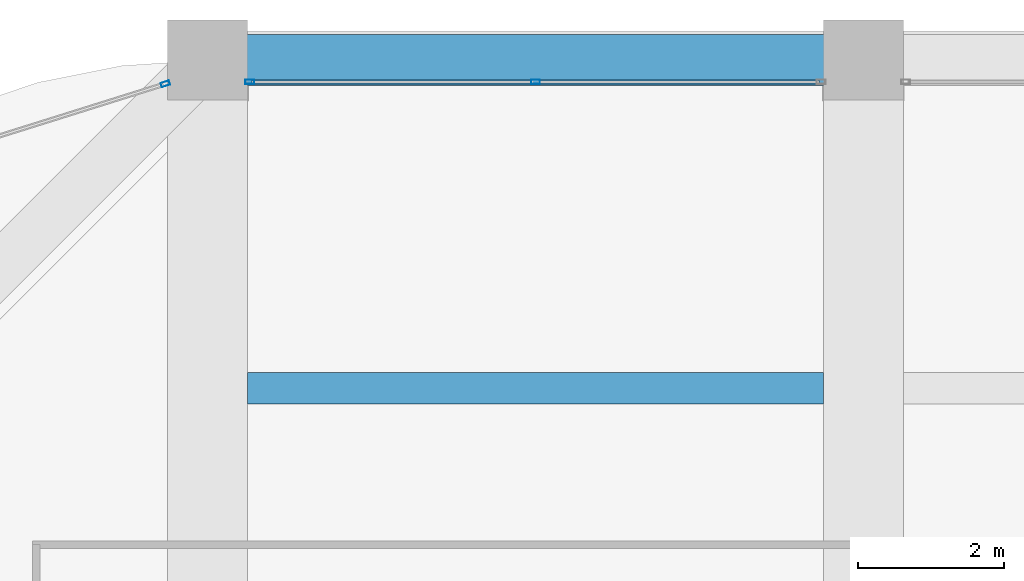
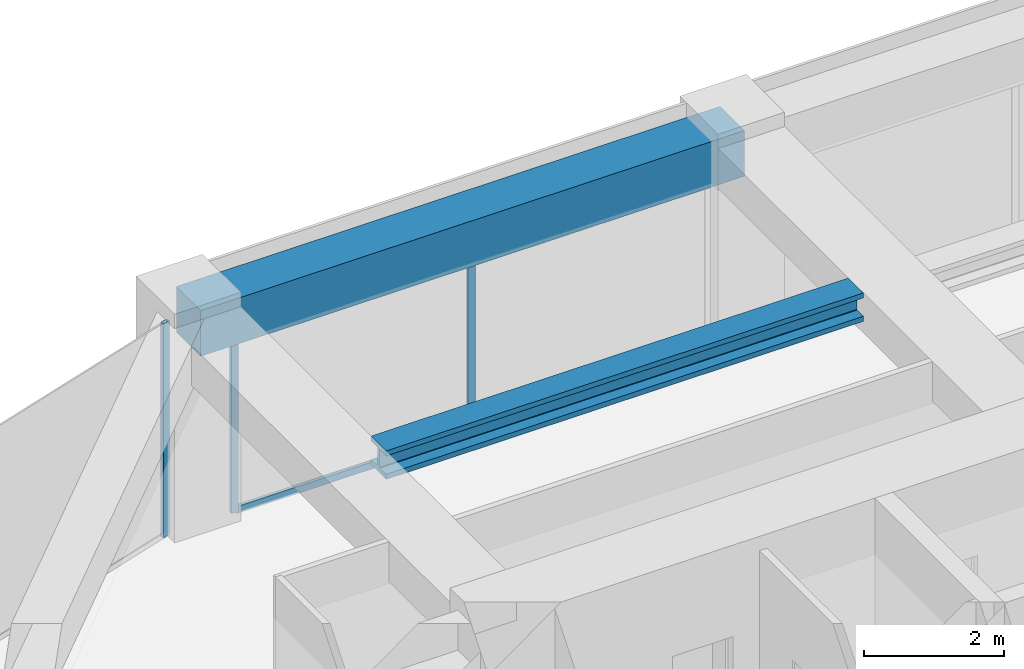
# One storey, part 31 of 44: 4 members, 2 beams, 2 elements without a shape of their own.
"""IFC4 building model written with IfcOpenShell, lengths in metres."""

from ifc_helpers import new_model, si_unit, direction, frame, origin, origin_2d, place, context, subcontext, project, spatial, rectangle, hollow_rectangle, i_section, extrude, material, material_profile, profile_set, type_object, element, aggregate, save


model = new_model("IFC4")

# Units and contexts
model_context = context("Model", 3, precision=1e-05, world=origin(), true_north=direction((0.0, 1.0)))
body_context = subcontext(model_context, "Body", "Model", "MODEL_VIEW")
ifc_project = project(units=[si_unit("LENGTHUNIT", "METRE"), si_unit("AREAUNIT", "SQUARE_METRE"), si_unit("VOLUMEUNIT", "CUBIC_METRE"), si_unit("PLANEANGLEUNIT", "RADIAN"), si_unit("MASSUNIT", "GRAM", prefix="KILO")], contexts=[model_context])

# Site, building, storey
site_placement = place(None, origin())
site = spatial("IfcSite", under=ifc_project, at=site_placement, CompositionType="ELEMENT")
building_placement = place(site_placement, origin())
building = spatial("IfcBuilding", under=site, at=building_placement, Name="Zorevar Civic Tower", CompositionType="ELEMENT")
storey_placement = place(building_placement, frame((0.0, 0.0, 259.39990234375)))
storey = spatial("IfcBuildingStorey", under=building, at=storey_placement, Name="L63", CompositionType="ELEMENT", Elevation=259.39990234375)

# Curtain wall, members
ifc_material_1 = material(Name="Dark grey solar-control glass in black aluminium frame", Category="aluminium")
curtain_wall_type = type_object("IfcCurtainWallType", Name="Curtain wall CW5 top zone", PredefinedType="NOTDEFINED", material=ifc_material_1)
curtain_wall_1_placement = place(storey_placement, origin())
curtain_wall_1 = element("IfcCurtainWall", 1, at=curtain_wall_1_placement, inside=storey, type_object=curtain_wall_type, Name="CW5 L63", PredefinedType="NOTDEFINED")
ifc_material_2 = material(Name="Aluminium, black anodised", Category="aluminium")
ifc_material_profile_1 = material_profile(ifc_material_2, hollow_rectangle(XDim=0.06005859375, YDim=0.1201171875, WallThickness=0.0029296875, at=origin_2d()), Name="AL 120x60x3")
ifc_profile_set_1 = profile_set([ifc_material_profile_1], Name="Aluminium, black anodised")
member_type_1 = type_object("IfcMemberType", Name="CW5 mullion AL 120x60x3", PredefinedType="MULLION", material=ifc_profile_set_1)
member_1_placement = place(storey_placement, frame((18.580078125, 44.699951171875, 0.0), z_axis=(0.0, 0.0, 1.0), x_axis=(0.0, 1.0, 0.0)))
member_1 = element("IfcMember", 2, at=member_1_placement, type_object=member_type_1, Name="CW5 mullion 1", PredefinedType="MULLION", context=body_context, shape_type="SweptSolid", body=[
    extrude(hollow_rectangle(XDim=0.06005859375, YDim=0.1201171875, WallThickness=0.0029296875, at=origin_2d()), origin(), (0.0, 0.0, 1.0), 2.9501953125),
])
member_2_placement = place(storey_placement, frame((22.5, 44.699951171875, 0.06005859375), z_axis=(0.0, 0.0, 1.0), x_axis=(0.0, 1.0, 0.0)))
member_2 = element("IfcMember", 3, at=member_2_placement, type_object=member_type_1, Name="CW5 mullion 2", PredefinedType="MULLION", context=body_context, shape_type="SweptSolid", body=[
    extrude(hollow_rectangle(XDim=0.06005859375, YDim=0.1201171875, WallThickness=0.0029296875, at=origin_2d()), origin(), (0.0, 0.0, 1.0), 2.89013671875),
])

# Curtain wall, member
curtain_wall_2_placement = place(storey_placement, origin())
curtain_wall_2 = element("IfcCurtainWall", 4, at=curtain_wall_2_placement, inside=storey, type_object=curtain_wall_type, Name="CW5 L63", PredefinedType="NOTDEFINED")
member_3_placement = place(storey_placement, frame((17.42138671875, 44.673583984375, 0.0), z_axis=(0.0, 0.0, 1.0), x_axis=(0.299317920238, -0.954153437674, 0.0)))
member_3 = element("IfcMember", 5, at=member_3_placement, type_object=member_type_1, Name="CW5 mullion 1", PredefinedType="MULLION", context=body_context, shape_type="SweptSolid", body=[
    extrude(hollow_rectangle(XDim=0.06005859375, YDim=0.1201171875, WallThickness=0.0029296875, at=origin_2d()), origin(), (0.0, 0.0, 1.0), 3.75),
])
aggregate(curtain_wall_2, [member_3])

# Member
ifc_material_3 = material(Name="Aluminium, black anodised", Category="aluminium")
ifc_material_profile_2 = material_profile(ifc_material_3, hollow_rectangle(XDim=0.06005859375, YDim=0.1201171875, WallThickness=0.0029296875, at=origin_2d()), Name="AL 120x60x3")
ifc_profile_set_2 = profile_set([ifc_material_profile_2], Name="Aluminium, black anodised")
member_type_2 = type_object("IfcMemberType", Name="CW5 transom AL 120x60x3", PredefinedType="USERDEFINED", material=ifc_profile_set_2)
member_4_placement = place(storey_placement, frame((18.610107421875, 44.699951171875, 0.030029296875), z_axis=(1.0, 0.0, 0.0), x_axis=(0.0, 1.0, 0.0)))
member_4 = element("IfcMember", 6, at=member_4_placement, type_object=member_type_2, Name="CW5 sill transom", ObjectType="TRANSOM", PredefinedType="USERDEFINED", context=body_context, shape_type="SweptSolid", body=[
    extrude(hollow_rectangle(XDim=0.06005859375, YDim=0.1201171875, WallThickness=0.0029296875, at=origin_2d()), origin(), (0.0, 0.0, 1.0), 7.77978515625),
])

aggregate(curtain_wall_1, [member_1, member_2, member_4])

# Beams
ifc_material_4 = material(Name="Steel S460M (HISTAR 460)", Category="steel")
ifc_material_profile_3 = material_profile(ifc_material_4, i_section(OverallWidth=0.431884765625, OverallDepth=0.498046875, WebThickness=0.0556640625, FlangeThickness=0.0888671875, FilletRadius=0.014892578125, at=origin_2d()), Name="HD 400x744")
ifc_profile_set_3 = profile_set([ifc_material_profile_3], Name="Steel S460M (HISTAR 460)")
beam_type_1 = type_object("IfcBeamType", Name="Core bay beam HD 400x744", PredefinedType="BEAM", material=ifc_profile_set_3)
beam_1_placement = place(storey_placement, frame((18.550048828125, 40.5, 3.5009765625), z_axis=(1.0, 0.0, 0.0), x_axis=(0.0, 1.0, 0.0)))
element("IfcBeam", 7, at=beam_1_placement, inside=storey, type_object=beam_type_1, Name="Secondary beam L64", PredefinedType="BEAM", context=body_context, shape_type="SweptSolid", body=[
    extrude(i_section(OverallWidth=0.431884765625, OverallDepth=0.498046875, WebThickness=0.0556640625, FlangeThickness=0.0888671875, FilletRadius=0.014892578125, at=origin_2d()), origin(), (0.0, 0.0, 1.0), 7.89990234375),
])
ifc_material_5 = material(Name="Concrete C50/60", Category="concrete")
ifc_material_profile_4 = material_profile(ifc_material_5, rectangle(XDim=0.699951171875, YDim=0.800048828125, at=origin_2d()), Name="RC 700x800")
ifc_profile_set_4 = profile_set([ifc_material_profile_4], Name="Concrete C50/60")
beam_type_2 = type_object("IfcBeamType", Name="Edge beam RC 700x800", PredefinedType="SPANDREL", material=ifc_profile_set_4)
beam_2_placement = place(storey_placement, frame((18.0, 45.0, 3.35009765625), z_axis=(1.0, 0.0, 0.0), x_axis=(0.0, 1.0, 0.0)))
element("IfcBeam", 8, at=beam_2_placement, inside=storey, type_object=beam_type_2, Name="Edge beam L64", PredefinedType="SPANDREL", context=body_context, shape_type="SweptSolid", body=[
    extrude(rectangle(XDim=0.699951171875, YDim=0.800048828125, at=origin_2d()), origin(), (0.0, 0.0, 1.0), 9.0),
])

save(model, "model.ifc")
